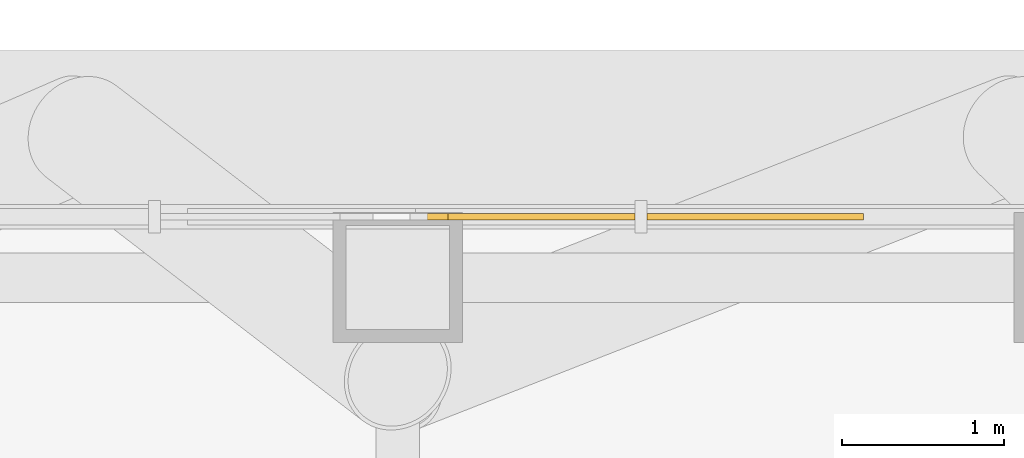
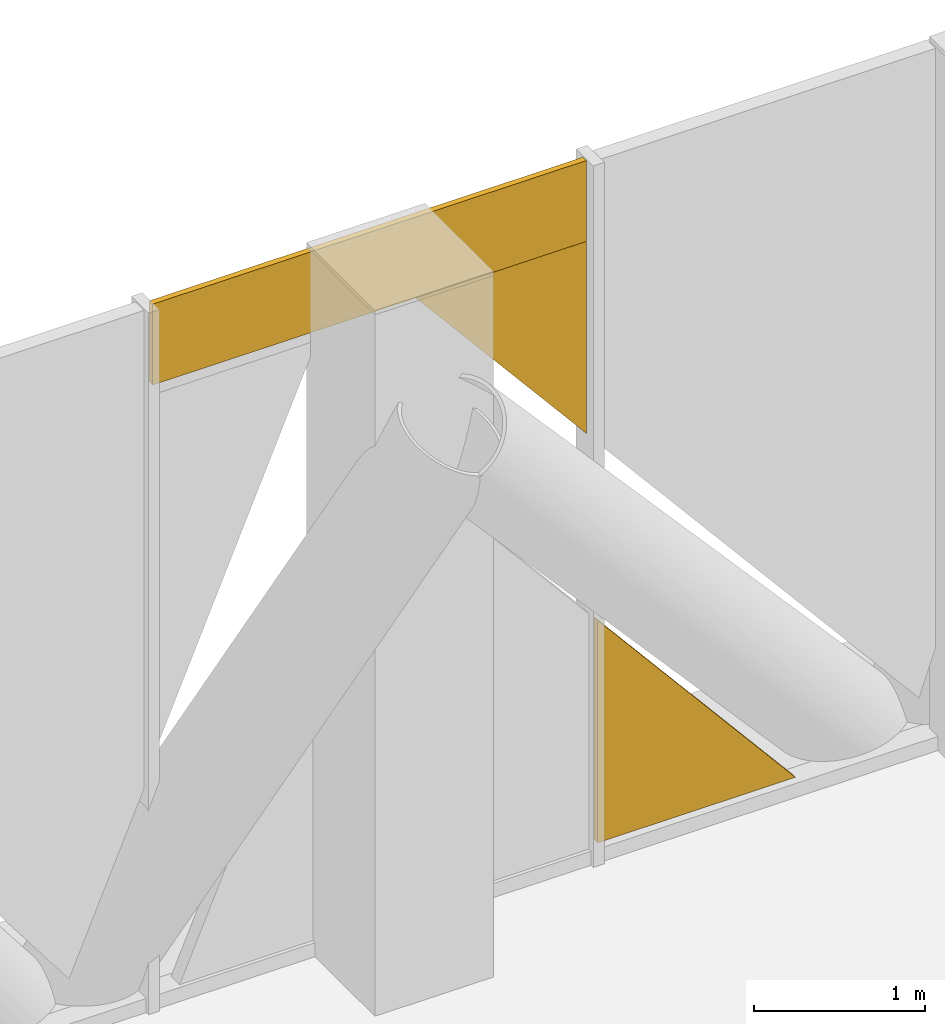
# One storey, part 19 of 27: 3 coverings.
"""IFC4 building model written with IfcOpenShell, lengths in metres."""

from ifc_helpers import new_model, si_unit, direction, frame, origin, place, context, subcontext, project, spatial, polyline, outline, extrude, material, layer, layer_set, type_object, element, save


model = new_model("IFC4")

# Units and contexts
model_context = context("Model", 3, precision=1e-05, world=origin(), true_north=direction((0.0, 1.0)))
body_context = subcontext(model_context, "Body", "Model", "MODEL_VIEW")
ifc_project = project(units=[si_unit("LENGTHUNIT", "METRE"), si_unit("AREAUNIT", "SQUARE_METRE"), si_unit("VOLUMEUNIT", "CUBIC_METRE"), si_unit("PLANEANGLEUNIT", "RADIAN"), si_unit("MASSUNIT", "GRAM", prefix="KILO")], contexts=[model_context])

# Site, building, storey
site_placement = place(None, origin())
site = spatial("IfcSite", under=ifc_project, at=site_placement, CompositionType="ELEMENT")
building_placement = place(site_placement, origin())
building = spatial("IfcBuilding", under=site, at=building_placement, Name="Malebo Sky Hospital", CompositionType="ELEMENT")
storey_placement = place(building_placement, frame((0.0, 0.0, 245.0)))
storey = spatial("IfcBuildingStorey", under=building, at=storey_placement, Name="L59", CompositionType="ELEMENT", Elevation=245.0)

# Coverings
ifc_material = material(Name="Anodised aluminium, natural silver insulated infill panel", Category="aluminium")
ifc_layer = layer(ifc_material, 0.0400390625)
ifc_layer_set = layer_set([ifc_layer], Name="BRACE INFILL PANEL 40")
covering_type = type_object("IfcCoveringType", Name="BRACE INFILL PANEL 40", PredefinedType="CLADDING", material=ifc_layer_set)
covering_1_placement = place(storey_placement, frame((74.386962890625, 84.574951171875, 3.04443359375), z_axis=(0.0, 0.0, 1.0), x_axis=(1.0, 0.0, 0.0)))
element("IfcCovering", 1, at=covering_1_placement, inside=storey, type_object=covering_type, Name="Brace infill panel 11.2", PredefinedType="CLADDING", context=body_context, shape_type="SweptSolid", body=[
    extrude(outline(polyline([(0.57568359375, 0.0), (0.57568359375, 1.369384765625), (-0.57568359375, 1.369384765625), (0.57568359375, 0.0)])), frame((0.0, 0.02001953125, 0.0), z_axis=(0.0, -1.0, 0.0), x_axis=(1.0, 0.0, 0.0)), (0.0, 0.0, 1.0), 0.0400390625),
])
covering_2_placement = place(storey_placement, frame((73.5, 84.574951171875, 4.41357421875), z_axis=(0.0, 0.0, 1.0), x_axis=(1.0, 0.0, 0.0)))
element("IfcCovering", 2, at=covering_2_placement, inside=storey, type_object=covering_type, Name="Brace infill panel 11.3", PredefinedType="CLADDING", context=body_context, shape_type="SweptSolid", body=[
    extrude(outline(polyline([(-1.46240234375, 0.0), (1.46240234375, 0.0), (1.46240234375, 0.576416015625), (-1.46240234375, 0.576416015625), (-1.46240234375, 0.0)])), frame((0.0, 0.02001953125, 0.0), z_axis=(0.0, -1.0, 0.0), x_axis=(1.0, 0.0, 0.0)), (0.0, 0.0, 1.0), 0.0400390625),
])
covering_3_placement = place(storey_placement, frame((75.70458984375, 84.574951171875, 0.10009765625), z_axis=(0.0, 0.0, 1.0), x_axis=(1.0, 0.0, 0.0)))
element("IfcCovering", 3, at=covering_3_placement, inside=storey, type_object=covering_type, Name="Brace infill panel 12.1", PredefinedType="CLADDING", context=body_context, shape_type="SweptSolid", body=[
    extrude(outline(polyline([(-0.6669921875, 0.0), (0.6669921875, 0.0), (-0.6669921875, 1.5869140625), (-0.6669921875, 0.0)])), frame((0.0, 0.02001953125, 0.0), z_axis=(0.0, -1.0, 0.0), x_axis=(1.0, 0.0, 0.0)), (0.0, 0.0, 1.0), 0.0400390625),
])

save(model, "model.ifc")
